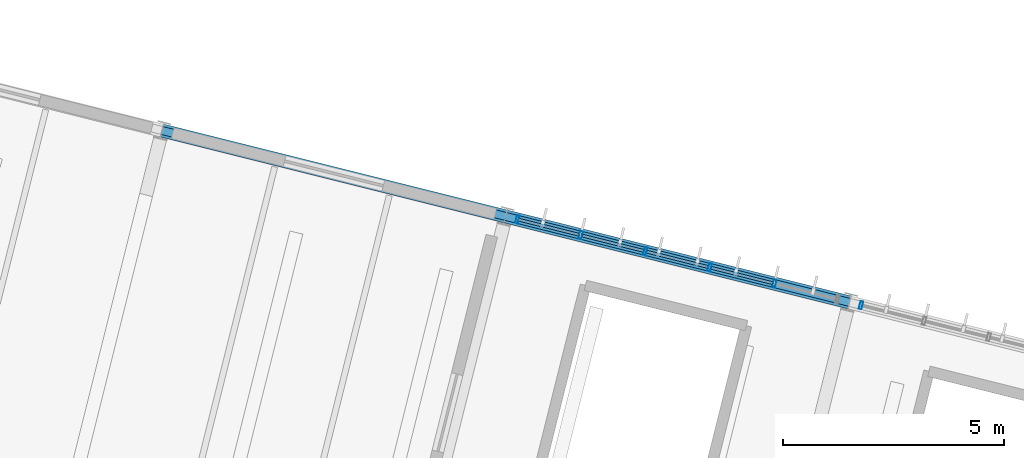
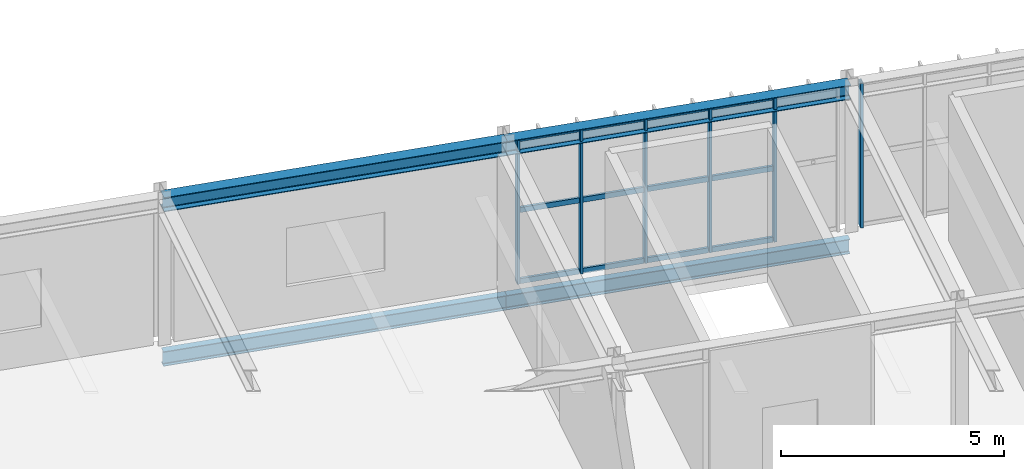
# One storey, part 17 of 30: 18 members, 4 beams, 2 elements without a shape of their own.
"""IFC4 building model written with IfcOpenShell, lengths in metres."""

from ifc_helpers import new_model, si_unit, derived_unit, direction, frame, origin, origin_2d, place, context, subcontext, project, spatial, hollow_rectangle, i_section, extrude, material, material_profile, profile_set, type_object, element, aggregate, save


model = new_model("IFC4")

# Units and contexts
model_context = context("Model", 3, precision=1e-05, world=origin(), true_north=direction((0.0, 1.0)))
body_context = subcontext(model_context, "Body", "Model", "MODEL_VIEW")
ifc_project = project(units=[si_unit("LENGTHUNIT", "METRE"), si_unit("AREAUNIT", "SQUARE_METRE"), si_unit("VOLUMEUNIT", "CUBIC_METRE"), si_unit("PLANEANGLEUNIT", "RADIAN"), si_unit("MASSUNIT", "GRAM", prefix="KILO"), si_unit("THERMODYNAMICTEMPERATUREUNIT", "KELVIN"), si_unit("TIMEUNIT", "SECOND"), derived_unit("THERMALTRANSMITTANCEUNIT", [(si_unit("MASSUNIT", "GRAM", prefix="KILO"), 1), (si_unit("THERMODYNAMICTEMPERATUREUNIT", "KELVIN"), -1), (si_unit("TIMEUNIT", "SECOND"), -3)])], contexts=[model_context])

# Site, building, storey
site_placement = place(None, origin())
site = spatial("IfcSite", under=ifc_project, at=site_placement, CompositionType="ELEMENT")
building_placement = place(site_placement, origin())
building = spatial("IfcBuilding", under=site, at=building_placement, Name="Cambertide Market Hall", CompositionType="ELEMENT")
storey_placement = place(building_placement, frame((0.0, 0.0, 14.10009765625)))
storey = spatial("IfcBuildingStorey", under=building, at=storey_placement, Name="L04", CompositionType="ELEMENT", Elevation=14.10009765625)

# Curtain wall, members
ifc_material_1 = material(Name="Marine Anodized Aluminium 6063-T6 AA25", Category="aluminium")
curtain_wall_type = type_object("IfcCurtainWallType", Name="Herb Conservatory Crown Curtain Wall", PredefinedType="USERDEFINED", material=ifc_material_1)
curtain_wall_1_placement = place(storey_placement, origin())
curtain_wall_1 = element("IfcCurtainWall", 1, at=curtain_wall_1_placement, inside=storey, type_object=curtain_wall_type, Name="Level 4 Curtain Wall CW-V4N-L04-4", ObjectType="UNITIZED CURTAIN WALL", PredefinedType="USERDEFINED")
ifc_material_2 = material(Name="Champagne Marine Anodized Aluminium 6063-T6 AA25", Category="aluminium")
ifc_material_profile_1 = material_profile(ifc_material_2, hollow_rectangle(XDim=0.06494140625, YDim=0.179931640625, WallThickness=0.00390625, at=origin_2d()), Name="ALU MULLION 65x180")
ifc_profile_set_1 = profile_set([ifc_material_profile_1], Name="Champagne Marine Anodized Aluminium 6063-T6 AA25")
member_type_1 = type_object("IfcMemberType", Name="Curtain Wall Mullion ALU MULLION 65x180", PredefinedType="MULLION", material=ifc_profile_set_1)
member_1_placement = place(storey_placement, frame((138.0986328125, 120.306396484375, 0.0), z_axis=(0.0, 0.0, 1.0), x_axis=(0.970142500145, -0.242535625038, 0.0)))
member_1 = element("IfcMember", 2, at=member_1_placement, type_object=member_type_1, Name="CW-V4N-L04-4 Mullion 1", PredefinedType="MULLION", context=body_context, shape_type="SweptSolid", body=[
    extrude(hollow_rectangle(XDim=0.06494140625, YDim=0.179931640625, WallThickness=0.00390625, at=origin_2d()), origin(), (0.0, 0.0, 1.0), 3.9599609375),
])
member_2_placement = place(storey_placement, frame((139.52392578125, 119.949951171875, 0.0), z_axis=(0.0, 0.0, 1.0), x_axis=(0.970142500145, -0.242535625038, 0.0)))
member_2 = element("IfcMember", 3, at=member_2_placement, type_object=member_type_1, Name="CW-V4N-L04-4 Mullion 2", PredefinedType="MULLION", context=body_context, shape_type="SweptSolid", body=[
    extrude(hollow_rectangle(XDim=0.06494140625, YDim=0.179931640625, WallThickness=0.00390625, at=origin_2d()), origin(), (0.0, 0.0, 1.0), 3.9599609375),
])
member_3_placement = place(storey_placement, frame((140.98291015625, 119.585205078125, 0.0), z_axis=(0.0, 0.0, 1.0), x_axis=(0.970142500145, -0.242535625038, 0.0)))
member_3 = element("IfcMember", 4, at=member_3_placement, type_object=member_type_1, Name="CW-V4N-L04-4 Mullion 3", PredefinedType="MULLION", context=body_context, shape_type="SweptSolid", body=[
    extrude(hollow_rectangle(XDim=0.06494140625, YDim=0.179931640625, WallThickness=0.00390625, at=origin_2d()), origin(), (0.0, 0.0, 1.0), 3.9599609375),
])
member_4_placement = place(storey_placement, frame((142.44189453125, 119.220458984375, 0.0), z_axis=(0.0, 0.0, 1.0), x_axis=(0.970142500145, -0.242535625038, 0.0)))
member_4 = element("IfcMember", 5, at=member_4_placement, type_object=member_type_1, Name="CW-V4N-L04-4 Mullion 4", PredefinedType="MULLION", context=body_context, shape_type="SweptSolid", body=[
    extrude(hollow_rectangle(XDim=0.06494140625, YDim=0.179931640625, WallThickness=0.00390625, at=origin_2d()), origin(), (0.0, 0.0, 1.0), 3.9599609375),
])
member_5_placement = place(storey_placement, frame((143.901123046875, 118.855712890625, 0.0), z_axis=(0.0, 0.0, 1.0), x_axis=(0.970142500145, -0.242535625038, 0.0)))
member_5 = element("IfcMember", 6, at=member_5_placement, type_object=member_type_1, Name="CW-V4N-L04-4 Mullion 5", PredefinedType="MULLION", context=body_context, shape_type="SweptSolid", body=[
    extrude(hollow_rectangle(XDim=0.06494140625, YDim=0.179931640625, WallThickness=0.00390625, at=origin_2d()), origin(), (0.0, 0.0, 1.0), 3.9599609375),
])

# Curtain wall, member
curtain_wall_2_placement = place(storey_placement, origin())
curtain_wall_2 = element("IfcCurtainWall", 7, at=curtain_wall_2_placement, inside=storey, type_object=curtain_wall_type, Name="Level 4 Curtain Wall CW-V4N-L04-5", ObjectType="UNITIZED CURTAIN WALL", PredefinedType="USERDEFINED")
member_6_placement = place(storey_placement, frame((145.85986328125, 118.365966796875, 0.0), z_axis=(0.0, 0.0, 1.0), x_axis=(0.970142500145, -0.242535625038, 0.0)))
member_6 = element("IfcMember", 8, at=member_6_placement, type_object=member_type_1, Name="CW-V4N-L04-5 Mullion 1", PredefinedType="MULLION", context=body_context, shape_type="SweptSolid", body=[
    extrude(hollow_rectangle(XDim=0.06494140625, YDim=0.179931640625, WallThickness=0.00390625, at=origin_2d()), origin(), (0.0, 0.0, 1.0), 3.9599609375),
])
aggregate(curtain_wall_2, [member_6])

# Member
ifc_material_3 = material(Name="Champagne Marine Anodized Aluminium 6063-T6 AA25", Category="aluminium")
ifc_material_profile_2 = material_profile(ifc_material_3, hollow_rectangle(XDim=0.06494140625, YDim=0.139892578125, WallThickness=0.00341796875, at=origin_2d()), Name="ALU TRANSOM 65x140")
ifc_profile_set_2 = profile_set([ifc_material_profile_2], Name="Champagne Marine Anodized Aluminium 6063-T6 AA25")
member_type_2 = type_object("IfcMemberType", Name="Curtain Wall Transom ALU TRANSOM 65x140", PredefinedType="USERDEFINED", material=ifc_profile_set_2)
member_7_placement = place(storey_placement, frame((138.103515625, 120.30517578125, 0.034912109375), z_axis=(0.970132415085, -0.242575961715, 0.0), x_axis=(0.242575961715, 0.970132415085, 0.0)))
member_7 = element("IfcMember", 9, at=member_7_placement, type_object=member_type_2, Name="CW-V4N-L04-4 Transom 1-1", ObjectType="TRANSOM", PredefinedType="USERDEFINED", context=body_context, shape_type="SweptSolid", body=[
    extrude(hollow_rectangle(XDim=0.06494140625, YDim=0.139892578125, WallThickness=0.00341796875, at=origin_2d()), origin(), (0.0, 0.0, 1.0), 1.424072265625),
])

member_8_placement = place(storey_placement, frame((139.5625, 119.9404296875, 0.034912109375), z_axis=(0.970132415085, -0.242575961715, 0.0), x_axis=(0.242575961715, 0.970132415085, 0.0)))
member_8 = element("IfcMember", 10, at=member_8_placement, type_object=member_type_2, Name="CW-V4N-L04-4 Transom 1-2", ObjectType="TRANSOM", PredefinedType="USERDEFINED", context=body_context, shape_type="SweptSolid", body=[
    extrude(hollow_rectangle(XDim=0.06494140625, YDim=0.139892578125, WallThickness=0.00341796875, at=origin_2d()), origin(), (0.0, 0.0, 1.0), 1.424072265625),
])

member_9_placement = place(storey_placement, frame((141.021728515625, 119.575439453125, 0.034912109375), z_axis=(0.970162669427, -0.242454933646, 0.0), x_axis=(0.242454933646, 0.970162669427, 0.0)))
member_9 = element("IfcMember", 11, at=member_9_placement, type_object=member_type_2, Name="CW-V4N-L04-4 Transom 1-3", ObjectType="TRANSOM", PredefinedType="USERDEFINED", context=body_context, shape_type="SweptSolid", body=[
    extrude(hollow_rectangle(XDim=0.06494140625, YDim=0.139892578125, WallThickness=0.00341796875, at=origin_2d()), origin(), (0.0, 0.0, 1.0), 1.423828125),
])

member_10_placement = place(storey_placement, frame((142.480712890625, 119.210693359375, 0.034912109375), z_axis=(0.970172746521, -0.242414607454, 0.0), x_axis=(0.242414607454, 0.970172746521, 0.0)))
member_10 = element("IfcMember", 12, at=member_10_placement, type_object=member_type_2, Name="CW-V4N-L04-4 Transom 1-4", ObjectType="TRANSOM", PredefinedType="USERDEFINED", context=body_context, shape_type="SweptSolid", body=[
    extrude(hollow_rectangle(XDim=0.06494140625, YDim=0.139892578125, WallThickness=0.00341796875, at=origin_2d()), origin(), (0.0, 0.0, 1.0), 1.424072265625),
])

member_11_placement = place(storey_placement, frame((138.103515625, 120.30517578125, 1.97998046875), z_axis=(0.970132415085, -0.242575961715, 0.0), x_axis=(0.242575961715, 0.970132415085, 0.0)))
member_11 = element("IfcMember", 13, at=member_11_placement, type_object=member_type_2, Name="CW-V4N-L04-4 Transom 2-1", ObjectType="TRANSOM", PredefinedType="USERDEFINED", context=body_context, shape_type="SweptSolid", body=[
    extrude(hollow_rectangle(XDim=0.06494140625, YDim=0.139892578125, WallThickness=0.00341796875, at=origin_2d()), origin(), (0.0, 0.0, 1.0), 1.424072265625),
])

member_12_placement = place(storey_placement, frame((139.5625, 119.9404296875, 1.97998046875), z_axis=(0.970132415085, -0.242575961715, 0.0), x_axis=(0.242575961715, 0.970132415085, 0.0)))
member_12 = element("IfcMember", 14, at=member_12_placement, type_object=member_type_2, Name="CW-V4N-L04-4 Transom 2-2", ObjectType="TRANSOM", PredefinedType="USERDEFINED", context=body_context, shape_type="SweptSolid", body=[
    extrude(hollow_rectangle(XDim=0.06494140625, YDim=0.139892578125, WallThickness=0.00341796875, at=origin_2d()), origin(), (0.0, 0.0, 1.0), 1.424072265625),
])

member_13_placement = place(storey_placement, frame((141.021728515625, 119.575439453125, 1.97998046875), z_axis=(0.970162669427, -0.242454933646, 0.0), x_axis=(0.242454933646, 0.970162669427, 0.0)))
member_13 = element("IfcMember", 15, at=member_13_placement, type_object=member_type_2, Name="CW-V4N-L04-4 Transom 2-3", ObjectType="TRANSOM", PredefinedType="USERDEFINED", context=body_context, shape_type="SweptSolid", body=[
    extrude(hollow_rectangle(XDim=0.06494140625, YDim=0.139892578125, WallThickness=0.00341796875, at=origin_2d()), origin(), (0.0, 0.0, 1.0), 1.423828125),
])

member_14_placement = place(storey_placement, frame((142.480712890625, 119.210693359375, 1.97998046875), z_axis=(0.970172746521, -0.242414607454, 0.0), x_axis=(0.242414607454, 0.970172746521, 0.0)))
member_14 = element("IfcMember", 16, at=member_14_placement, type_object=member_type_2, Name="CW-V4N-L04-4 Transom 2-4", ObjectType="TRANSOM", PredefinedType="USERDEFINED", context=body_context, shape_type="SweptSolid", body=[
    extrude(hollow_rectangle(XDim=0.06494140625, YDim=0.139892578125, WallThickness=0.00341796875, at=origin_2d()), origin(), (0.0, 0.0, 1.0), 1.424072265625),
])

member_15_placement = place(storey_placement, frame((138.103515625, 120.30517578125, 3.9248046875), z_axis=(0.970132415085, -0.242575961715, 0.0), x_axis=(0.242575961715, 0.970132415085, 0.0)))
member_15 = element("IfcMember", 17, at=member_15_placement, type_object=member_type_2, Name="CW-V4N-L04-4 Transom 3-1", ObjectType="TRANSOM", PredefinedType="USERDEFINED", context=body_context, shape_type="SweptSolid", body=[
    extrude(hollow_rectangle(XDim=0.06494140625, YDim=0.139892578125, WallThickness=0.00341796875, at=origin_2d()), origin(), (0.0, 0.0, 1.0), 1.424072265625),
])

member_16_placement = place(storey_placement, frame((139.5625, 119.9404296875, 3.9248046875), z_axis=(0.970132415085, -0.242575961715, 0.0), x_axis=(0.242575961715, 0.970132415085, 0.0)))
member_16 = element("IfcMember", 18, at=member_16_placement, type_object=member_type_2, Name="CW-V4N-L04-4 Transom 3-2", ObjectType="TRANSOM", PredefinedType="USERDEFINED", context=body_context, shape_type="SweptSolid", body=[
    extrude(hollow_rectangle(XDim=0.06494140625, YDim=0.139892578125, WallThickness=0.00341796875, at=origin_2d()), origin(), (0.0, 0.0, 1.0), 1.424072265625),
])

member_17_placement = place(storey_placement, frame((141.021728515625, 119.575439453125, 3.9248046875), z_axis=(0.970162669427, -0.242454933646, 0.0), x_axis=(0.242454933646, 0.970162669427, 0.0)))
member_17 = element("IfcMember", 19, at=member_17_placement, type_object=member_type_2, Name="CW-V4N-L04-4 Transom 3-3", ObjectType="TRANSOM", PredefinedType="USERDEFINED", context=body_context, shape_type="SweptSolid", body=[
    extrude(hollow_rectangle(XDim=0.06494140625, YDim=0.139892578125, WallThickness=0.00341796875, at=origin_2d()), origin(), (0.0, 0.0, 1.0), 1.423828125),
])

member_18_placement = place(storey_placement, frame((142.480712890625, 119.210693359375, 3.9248046875), z_axis=(0.970172746521, -0.242414607454, 0.0), x_axis=(0.242414607454, 0.970172746521, 0.0)))
member_18 = element("IfcMember", 20, at=member_18_placement, type_object=member_type_2, Name="CW-V4N-L04-4 Transom 3-4", ObjectType="TRANSOM", PredefinedType="USERDEFINED", context=body_context, shape_type="SweptSolid", body=[
    extrude(hollow_rectangle(XDim=0.06494140625, YDim=0.139892578125, WallThickness=0.00341796875, at=origin_2d()), origin(), (0.0, 0.0, 1.0), 1.424072265625),
])

aggregate(curtain_wall_1, [member_1, member_2, member_3, member_4, member_5, member_7, member_8, member_9, member_10, member_11, member_12, member_13, member_14, member_15, member_16, member_17, member_18])

# Beams
ifc_material_4 = material(Name="Steel S355", Category="steel")
ifc_material_profile_3 = material_profile(ifc_material_4, i_section(OverallWidth=0.300048828125, OverallDepth=0.389892578125, WebThickness=0.010986328125, FlangeThickness=0.01904296875, FilletRadius=0.027099609375, at=origin_2d()), Name="HEA 400")
ifc_profile_set_3 = profile_set([ifc_material_profile_3], Name="Steel S355")
beam_type_1 = type_object("IfcBeamType", Name="Exterior Steel Girder HEA 400", PredefinedType="BEAM", material=ifc_profile_set_3)
beam_1_placement = place(storey_placement, frame((130.07080078125, 122.313232421875, 3.804931640625), z_axis=(0.970144295309, -0.242528444268, 0.0), x_axis=(0.242528444268, 0.970144295309, 0.0)))
element("IfcBeam", 21, at=beam_1_placement, inside=storey, type_object=beam_type_1, Name="Level 4 Beam BM-V4U-RF-3-4", PredefinedType="BEAM", context=body_context, shape_type="SweptSolid", body=[
    extrude(i_section(OverallWidth=0.300048828125, OverallDepth=0.389892578125, WebThickness=0.010986328125, FlangeThickness=0.01904296875, FilletRadius=0.027099609375, at=origin_2d()), origin(), (0.0, 0.0, 1.0), 7.999755859375),
])
beam_2_placement = place(storey_placement, frame((137.831787109375, 120.373046875, 3.804931640625), z_axis=(0.970138909791, -0.242549986002, 0.0), x_axis=(0.242549986002, 0.970138909791, 0.0)))
element("IfcBeam", 22, at=beam_2_placement, inside=storey, type_object=beam_type_1, Name="Level 4 Beam BM-V4U-RF-4-4", PredefinedType="BEAM", context=body_context, shape_type="SweptSolid", body=[
    extrude(i_section(OverallWidth=0.300048828125, OverallDepth=0.389892578125, WebThickness=0.010986328125, FlangeThickness=0.01904296875, FilletRadius=0.027099609375, at=origin_2d()), origin(), (0.0, 0.0, 1.0), 8.000244140625),
])
ifc_material_5 = material(Name="Steel S355", Category="steel")
ifc_material_profile_4 = material_profile(ifc_material_5, i_section(OverallWidth=0.179931640625, OverallDepth=0.39990234375, WebThickness=0.008544921875, FlangeThickness=0.013427734375, FilletRadius=0.02099609375, at=origin_2d()), Name="IPE 400")
ifc_profile_set_4 = profile_set([ifc_material_profile_4], Name="Steel S355")
beam_type_2 = type_object("IfcBeamType", Name="Perimeter Spandrel Beam IPE 400", PredefinedType="SPANDREL", material=ifc_profile_set_4)
beam_3_placement = place(storey_placement, frame((130.07080078125, 122.313232421875, -0.455078125), z_axis=(0.970144295309, -0.242528444268, 0.0), x_axis=(0.242528444268, 0.970144295309, 0.0)))
element("IfcBeam", 23, at=beam_3_placement, inside=storey, type_object=beam_type_2, Name="Level 4 Spandrel BM-V4U-L04-3-4", PredefinedType="SPANDREL", context=body_context, shape_type="SweptSolid", body=[
    extrude(i_section(OverallWidth=0.179931640625, OverallDepth=0.39990234375, WebThickness=0.008544921875, FlangeThickness=0.013427734375, FilletRadius=0.02099609375, at=origin_2d()), origin(), (0.0, 0.0, 1.0), 7.999755859375),
])
beam_4_placement = place(storey_placement, frame((137.831787109375, 120.373046875, -0.455078125), z_axis=(0.970138909791, -0.242549986002, 0.0), x_axis=(0.242549986002, 0.970138909791, 0.0)))
element("IfcBeam", 24, at=beam_4_placement, inside=storey, type_object=beam_type_2, Name="Level 4 Spandrel BM-V4U-L04-4-4", PredefinedType="SPANDREL", context=body_context, shape_type="SweptSolid", body=[
    extrude(i_section(OverallWidth=0.179931640625, OverallDepth=0.39990234375, WebThickness=0.008544921875, FlangeThickness=0.013427734375, FilletRadius=0.02099609375, at=origin_2d()), origin(), (0.0, 0.0, 1.0), 8.000244140625),
])

save(model, "model.ifc")
